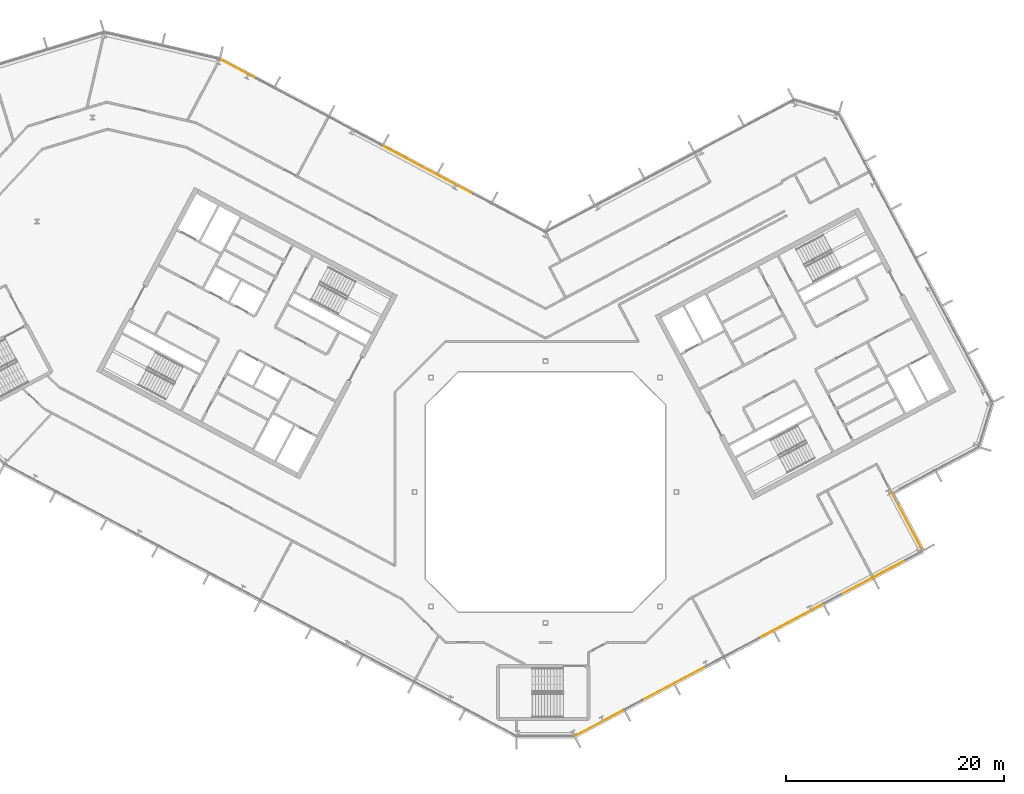
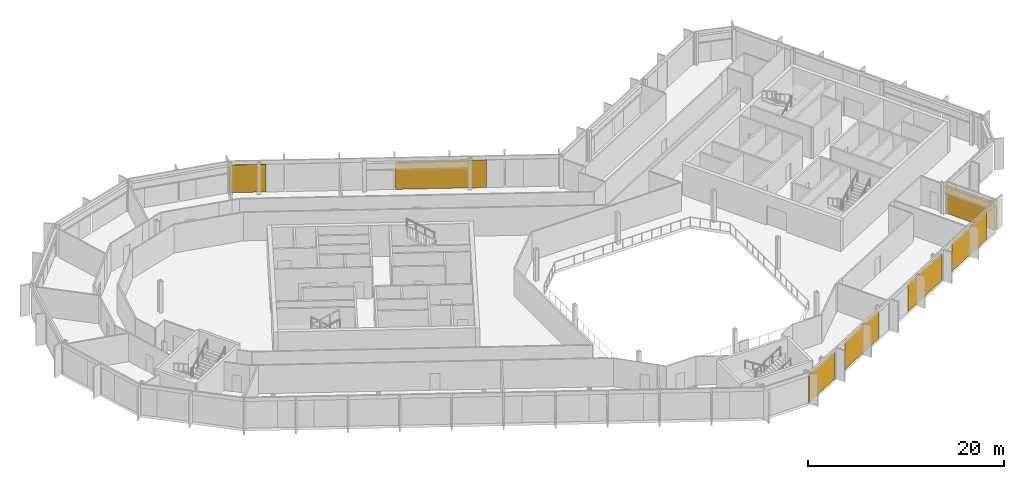
# One storey, part 24 of 26: 7 coverings, 3 elements without a shape of their own.
"""IFC4 building model written with IfcOpenShell, lengths in metres."""

from ifc_helpers import new_model, si_unit, direction, frame, origin, origin_2d, place, context, subcontext, project, spatial, rectangle, extrude, material, layer, layer_set, type_object, element, aggregate, save


model = new_model("IFC4")

# Units and contexts
model_context = context("Model", 3, precision=1e-05, world=origin(), true_north=direction((0.0, 1.0)))
body_context = subcontext(model_context, "Body", "Model", "MODEL_VIEW")
ifc_project = project(units=[si_unit("LENGTHUNIT", "METRE"), si_unit("AREAUNIT", "SQUARE_METRE"), si_unit("VOLUMEUNIT", "CUBIC_METRE"), si_unit("PLANEANGLEUNIT", "RADIAN"), si_unit("MASSUNIT", "GRAM", prefix="KILO")], contexts=[model_context])

# Site, building, storey
site_placement = place(None, origin())
site = spatial("IfcSite", under=ifc_project, at=site_placement, CompositionType="ELEMENT")
building_placement = place(site_placement, origin())
building = spatial("IfcBuilding", under=site, at=building_placement, Name="Cormorant Relay Tower", CompositionType="ELEMENT")
storey_placement = place(building_placement, frame((0.0, 0.0, 293.10009765625)))
storey = spatial("IfcBuildingStorey", under=building, at=storey_placement, Name="L66", CompositionType="ELEMENT", Elevation=293.10009765625)

# Curtain wall, coverings
ifc_material_1 = material(Name="Aluminium 6063-T6 anodised bronze", Category="aluminium")
ifc_layer_1 = layer(ifc_material_1, 0.199951171875)
ifc_layer_set_1 = layer_set([ifc_layer_1], Name="CW1 unitised bronze curtain wall with vertical fins")
curtain_wall_type = type_object("IfcCurtainWallType", Name="CW1 unitised bronze curtain wall with vertical fins", PredefinedType="NOTDEFINED", material=ifc_layer_set_1)
curtain_wall_1_placement = place(storey_placement, origin())
curtain_wall_1 = element("IfcCurtainWall", 1, at=curtain_wall_1_placement, inside=storey, type_object=curtain_wall_type, Name="CW1 curtain wall 2", PredefinedType="NOTDEFINED")
ifc_material_2 = material(Name="Pale bronze anodised aluminium insulated panel", Category="aluminium")
ifc_layer_2 = layer(ifc_material_2, 0.0400390625)
ifc_layer_set_2 = layer_set([ifc_layer_2], Name="CW1 pale bronze insulated panel 40")
covering_type = type_object("IfcCoveringType", Name="CW1 pale bronze insulated panel 40", PredefinedType="CLADDING", material=ifc_layer_set_2)
covering_1_placement = place(storey_placement, frame((4.939208984375, -21.180419921875, 0.0), z_axis=(0.0, 0.0, 1.0), x_axis=(0.882947592859, 0.469471562786, 0.0)))
covering_1 = element("IfcCovering", 2, at=covering_1_placement, type_object=covering_type, Name="CW1 panel S00", PredefinedType="CLADDING", context=body_context, shape_type="SweptSolid", body=[
    extrude(rectangle(XDim=5.0166015625, YDim=0.0400390625, at=origin_2d()), origin(), (0.0, 0.0, 1.0), 3.449951171875),
])
covering_2_placement = place(storey_placement, frame((11.78173828125, -17.5419921875, 0.0), z_axis=(0.0, 0.0, 1.0), x_axis=(0.882947592859, 0.469471562786, 0.0)))
covering_2 = element("IfcCovering", 3, at=covering_2_placement, type_object=covering_type, Name="CW1 panel S02", PredefinedType="CLADDING", context=body_context, shape_type="SweptSolid", body=[
    extrude(rectangle(XDim=6.5830078125, YDim=0.0400390625, at=origin_2d()), origin(), (0.0, 0.0, 1.0), 3.449951171875),
])
covering_3_placement = place(storey_placement, frame((22.49462890625, -11.845947265625, 0.0), z_axis=(0.0, 0.0, 1.0), x_axis=(0.882947592859, 0.469471562786, 0.0)))
covering_3 = element("IfcCovering", 4, at=covering_3_placement, type_object=covering_type, Name="CW1 panel S05", PredefinedType="CLADDING", context=body_context, shape_type="SweptSolid", body=[
    extrude(rectangle(XDim=6.5830078125, YDim=0.0400390625, at=origin_2d()), origin(), (0.0, 0.0, 1.0), 3.449951171875),
])
covering_4_placement = place(storey_placement, frame((30.06201171875, -7.822265625, 0.0), z_axis=(0.0, 0.0, 1.0), x_axis=(0.882947592859, 0.469471562786, 0.0)))
covering_4 = element("IfcCovering", 5, at=covering_4_placement, type_object=covering_type, Name="CW1 panel S07", PredefinedType="CLADDING", context=body_context, shape_type="SweptSolid", body=[
    extrude(rectangle(XDim=6.658203125, YDim=0.0400390625, at=origin_2d()), origin(), (0.0, 0.0, 1.0), 3.449951171875),
])
aggregate(curtain_wall_1, [covering_1, covering_2, covering_3, covering_4])

# Curtain wall, covering
curtain_wall_2_placement = place(storey_placement, origin())
curtain_wall_2 = element("IfcCurtainWall", 6, at=curtain_wall_2_placement, inside=storey, type_object=curtain_wall_type, Name="CW1 curtain wall 3", PredefinedType="NOTDEFINED")
covering_5_placement = place(storey_placement, frame((33.173095703125, -2.705322265625, 0.0), z_axis=(0.0, 0.0, 1.0), x_axis=(-0.469471562786, 0.882947592859, 0.0)))
covering_5 = element("IfcCovering", 7, at=covering_5_placement, type_object=covering_type, Name="CW1 panel S00", PredefinedType="CLADDING", context=body_context, shape_type="SweptSolid", body=[
    extrude(rectangle(XDim=5.925048828125, YDim=0.0400390625, at=origin_2d()), origin(), (0.0, 0.0, 1.0), 3.449951171875),
])
aggregate(curtain_wall_2, [covering_5])

# Curtain wall, coverings
curtain_wall_3_placement = place(storey_placement, origin())
curtain_wall_3 = element("IfcCurtainWall", 8, at=curtain_wall_3_placement, inside=storey, type_object=curtain_wall_type, Name="CW1 curtain wall 9", PredefinedType="NOTDEFINED")
covering_6_placement = place(storey_placement, frame((-10.7431640625, 29.518798828125, 0.0), z_axis=(0.0, 0.0, 1.0), x_axis=(-0.882947592859, 0.469471562786, 0.0)))
covering_6 = element("IfcCovering", 9, at=covering_6_placement, type_object=covering_type, Name="CW1 panel S03", PredefinedType="CLADDING", context=body_context, shape_type="SweptSolid", body=[
    extrude(rectangle(XDim=9.327880859375, YDim=0.0400390625, at=origin_2d()), origin(), (0.0, 0.0, 1.0), 3.449951171875),
])
covering_7_placement = place(storey_placement, frame((-28.20263671875, 38.80224609375, 0.0), z_axis=(0.0, 0.0, 1.0), x_axis=(-0.882947592859, 0.469471562786, 0.0)))
covering_7 = element("IfcCovering", 10, at=covering_7_placement, type_object=covering_type, Name="CW1 panel S07", PredefinedType="CLADDING", context=body_context, shape_type="SweptSolid", body=[
    extrude(rectangle(XDim=3.763916015625, YDim=0.0400390625, at=origin_2d()), origin(), (0.0, 0.0, 1.0), 3.449951171875),
])
aggregate(curtain_wall_3, [covering_6, covering_7])

save(model, "model.ifc")
